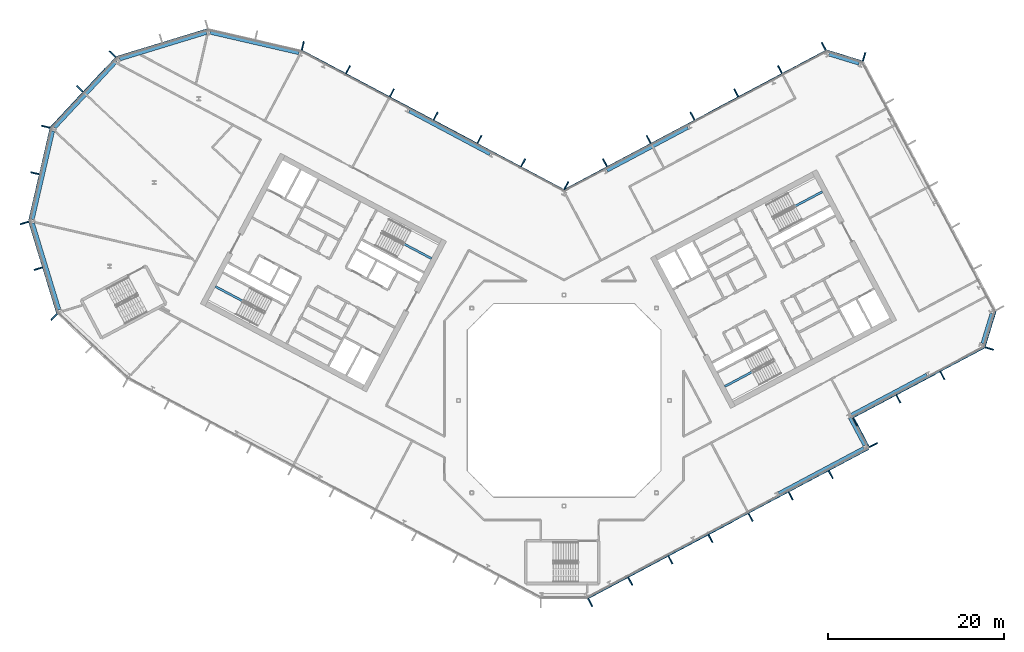
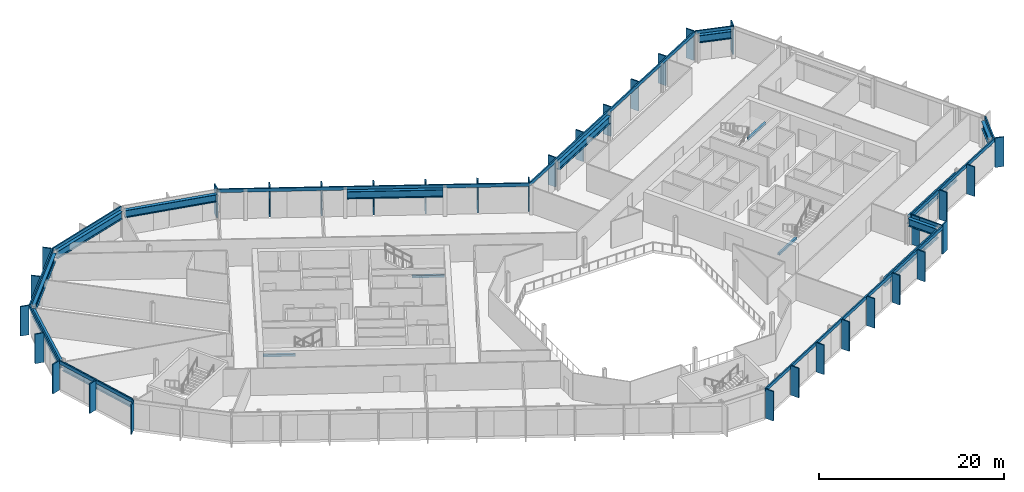
# One storey, part 9 of 26: 44 members, 16 beams, 13 elements without a shape of their own.
"""IFC4 building model written with IfcOpenShell, lengths in metres."""

from ifc_helpers import new_model, si_unit, direction, frame, origin, origin_2d, place, context, subcontext, project, spatial, rectangle, i_section, extrude, material, layer, layer_set, material_profile, profile_set, type_object, element, aggregate, save


model = new_model("IFC4")

# Units and contexts
model_context = context("Model", 3, precision=1e-05, world=origin(), true_north=direction((0.0, 1.0)))
body_context = subcontext(model_context, "Body", "Model", "MODEL_VIEW")
ifc_project = project(units=[si_unit("LENGTHUNIT", "METRE"), si_unit("AREAUNIT", "SQUARE_METRE"), si_unit("VOLUMEUNIT", "CUBIC_METRE"), si_unit("PLANEANGLEUNIT", "RADIAN"), si_unit("MASSUNIT", "GRAM", prefix="KILO")], contexts=[model_context])

# Site, building, storey
site_placement = place(None, origin())
site = spatial("IfcSite", under=ifc_project, at=site_placement, CompositionType="ELEMENT")
building_placement = place(site_placement, origin())
building = spatial("IfcBuilding", under=site, at=building_placement, Name="Cormorant Relay Tower", CompositionType="ELEMENT")
storey_placement = place(building_placement, frame((0.0, 0.0, 220.800048828125)))
storey = spatial("IfcBuildingStorey", under=building, at=storey_placement, Name="L48", CompositionType="ELEMENT", Elevation=220.800048828125)

# Curtain wall, members
ifc_material_1 = material(Name="Aluminium 6063-T6 anodised bronze", Category="aluminium")
ifc_layer = layer(ifc_material_1, 0.199951171875)
ifc_layer_set = layer_set([ifc_layer], Name="CW1 unitised bronze curtain wall with vertical fins")
curtain_wall_type = type_object("IfcCurtainWallType", Name="CW1 unitised bronze curtain wall with vertical fins", PredefinedType="NOTDEFINED", material=ifc_layer_set)
curtain_wall_1_placement = place(storey_placement, origin())
curtain_wall_1 = element("IfcCurtainWall", 1, at=curtain_wall_1_placement, inside=storey, type_object=curtain_wall_type, Name="CW1 curtain wall 2", PredefinedType="NOTDEFINED")
ifc_material_2 = material(Name="Aluminium 6063-T6 anodised bronze", Category="aluminium")
ifc_material_profile_1 = material_profile(ifc_material_2, rectangle(XDim=0.14990234375, YDim=1.0, at=origin_2d()), Name="AL 150x1000")
ifc_profile_set_1 = profile_set([ifc_material_profile_1], Name="Aluminium 6063-T6 anodised bronze")
member_type_1 = type_object("IfcMemberType", Name="CW1 bronze fin mullion 150 x 1000", PredefinedType="MULLION", material=ifc_profile_set_1)
member_1_placement = place(storey_placement, frame((2.9775390625, -22.99365234375, 0.0), z_axis=(0.0, 0.0, 1.0), x_axis=(0.882947592859, 0.469471562786, 0.0)))
member_1 = element("IfcMember", 2, at=member_1_placement, type_object=member_type_1, Name="CW1 fin 2.1", PredefinedType="MULLION", context=body_context, shape_type="SweptSolid", body=[
    extrude(rectangle(XDim=0.14990234375, YDim=1.0, at=origin_2d()), origin(), (0.0, 0.0, 1.0), 3.89990234375),
])
member_2_placement = place(storey_placement, frame((7.539306640625, -20.568115234375, 0.0), z_axis=(0.0, 0.0, 1.0), x_axis=(0.882947592859, 0.469471562786, 0.0)))
member_2 = element("IfcMember", 3, at=member_2_placement, type_object=member_type_1, Name="CW1 fin 2.2", PredefinedType="MULLION", context=body_context, shape_type="SweptSolid", body=[
    extrude(rectangle(XDim=0.14990234375, YDim=1.0, at=origin_2d()), origin(), (0.0, 0.0, 1.0), 3.89990234375),
])
member_3_placement = place(storey_placement, frame((12.10107421875, -18.142578125, 0.0), z_axis=(0.0, 0.0, 1.0), x_axis=(0.882947592859, 0.469471562786, 0.0)))
member_3 = element("IfcMember", 4, at=member_3_placement, type_object=member_type_1, Name="CW1 fin 2.3", PredefinedType="MULLION", context=body_context, shape_type="SweptSolid", body=[
    extrude(rectangle(XDim=0.14990234375, YDim=1.0, at=origin_2d()), origin(), (0.0, 0.0, 1.0), 3.89990234375),
])
member_4_placement = place(storey_placement, frame((16.662841796875, -15.717041015625, 0.0), z_axis=(0.0, 0.0, 1.0), x_axis=(0.882947592859, 0.469471562786, 0.0)))
member_4 = element("IfcMember", 5, at=member_4_placement, type_object=member_type_1, Name="CW1 fin 2.4", PredefinedType="MULLION", context=body_context, shape_type="SweptSolid", body=[
    extrude(rectangle(XDim=0.14990234375, YDim=1.0, at=origin_2d()), origin(), (0.0, 0.0, 1.0), 3.89990234375),
])
member_5_placement = place(storey_placement, frame((21.224609375, -13.29150390625, 0.0), z_axis=(0.0, 0.0, 1.0), x_axis=(0.882947592859, 0.469471562786, 0.0)))
member_5 = element("IfcMember", 6, at=member_5_placement, type_object=member_type_1, Name="CW1 fin 2.5", PredefinedType="MULLION", context=body_context, shape_type="SweptSolid", body=[
    extrude(rectangle(XDim=0.14990234375, YDim=1.0, at=origin_2d()), origin(), (0.0, 0.0, 1.0), 3.89990234375),
])
member_6_placement = place(storey_placement, frame((25.78662109375, -10.865966796875, 0.0), z_axis=(0.0, 0.0, 1.0), x_axis=(0.882947592859, 0.469471562786, 0.0)))
member_6 = element("IfcMember", 7, at=member_6_placement, type_object=member_type_1, Name="CW1 fin 2.6", PredefinedType="MULLION", context=body_context, shape_type="SweptSolid", body=[
    extrude(rectangle(XDim=0.14990234375, YDim=1.0, at=origin_2d()), origin(), (0.0, 0.0, 1.0), 3.89990234375),
])
member_7_placement = place(storey_placement, frame((30.348388671875, -8.440185546875, 0.0), z_axis=(0.0, 0.0, 1.0), x_axis=(0.882947592859, 0.469471562786, 0.0)))
member_7 = element("IfcMember", 8, at=member_7_placement, type_object=member_type_1, Name="CW1 fin 2.7", PredefinedType="MULLION", context=body_context, shape_type="SweptSolid", body=[
    extrude(rectangle(XDim=0.14990234375, YDim=1.0, at=origin_2d()), origin(), (0.0, 0.0, 1.0), 3.89990234375),
])

# Curtain wall, member
curtain_wall_2_placement = place(storey_placement, origin())
curtain_wall_2 = element("IfcCurtainWall", 9, at=curtain_wall_2_placement, inside=storey, type_object=curtain_wall_type, Name="CW1 curtain wall 3", PredefinedType="NOTDEFINED")
member_8_placement = place(storey_placement, frame((35.199462890625, -5.068115234375, 0.0), z_axis=(0.0, 0.0, 1.0), x_axis=(-0.469471562786, 0.882947592859, 0.0)))
member_8 = element("IfcMember", 10, at=member_8_placement, type_object=member_type_1, Name="CW1 fin 3.1", PredefinedType="MULLION", context=body_context, shape_type="SweptSolid", body=[
    extrude(rectangle(XDim=0.14990234375, YDim=1.0, at=origin_2d()), origin(), (0.0, 0.0, 1.0), 3.89990234375),
])

# Curtain wall, members
curtain_wall_3_placement = place(storey_placement, origin())
curtain_wall_3 = element("IfcCurtainWall", 11, at=curtain_wall_3_placement, inside=storey, type_object=curtain_wall_type, Name="CW1 curtain wall 4", PredefinedType="NOTDEFINED")
member_9_placement = place(storey_placement, frame((33.098388671875, -2.44775390625, 0.0), z_axis=(0.0, 0.0, 1.0), x_axis=(0.882947592859, 0.469471562786, 0.0)))
member_9 = element("IfcMember", 12, at=member_9_placement, type_object=member_type_1, Name="CW1 fin 4.1", PredefinedType="MULLION", context=body_context, shape_type="SweptSolid", body=[
    extrude(rectangle(XDim=0.14990234375, YDim=1.0, at=origin_2d()), origin(), (0.0, 0.0, 1.0), 3.89990234375),
])
member_10_placement = place(storey_placement, frame((38.035400390625, 0.177490234375, 0.0), z_axis=(0.0, 0.0, 1.0), x_axis=(0.882947592859, 0.469471562786, 0.0)))
member_10 = element("IfcMember", 13, at=member_10_placement, type_object=member_type_1, Name="CW1 fin 4.2", PredefinedType="MULLION", context=body_context, shape_type="SweptSolid", body=[
    extrude(rectangle(XDim=0.14990234375, YDim=1.0, at=origin_2d()), origin(), (0.0, 0.0, 1.0), 3.89990234375),
])
member_11_placement = place(storey_placement, frame((43.038818359375, 2.837646484375, 0.0), z_axis=(0.0, 0.0, 1.0), x_axis=(0.882947592859, 0.469471562786, 0.0)))
member_11 = element("IfcMember", 14, at=member_11_placement, type_object=member_type_1, Name="CW1 fin 4.3", PredefinedType="MULLION", context=body_context, shape_type="SweptSolid", body=[
    extrude(rectangle(XDim=0.14990234375, YDim=1.0, at=origin_2d()), origin(), (0.0, 0.0, 1.0), 3.89990234375),
])

# Curtain wall, member
curtain_wall_4_placement = place(storey_placement, origin())
curtain_wall_4 = element("IfcCurtainWall", 15, at=curtain_wall_4_placement, inside=storey, type_object=curtain_wall_type, Name="CW1 curtain wall 5", PredefinedType="NOTDEFINED")
member_12_placement = place(storey_placement, frame((48.383056640625, 5.91162109375, 0.0), z_axis=(0.0, 0.0, 1.0), x_axis=(0.292371704723, 0.956304755963, 0.0)))
member_12 = element("IfcMember", 16, at=member_12_placement, type_object=member_type_1, Name="CW1 fin 5.1", PredefinedType="MULLION", context=body_context, shape_type="SweptSolid", body=[
    extrude(rectangle(XDim=0.14990234375, YDim=1.0, at=origin_2d()), origin(), (0.0, 0.0, 1.0), 3.89990234375),
])

curtain_wall_5_placement = place(storey_placement, origin())
curtain_wall_5 = element("IfcCurtainWall", 17, at=curtain_wall_5_placement, inside=storey, type_object=curtain_wall_type, Name="CW1 curtain wall 7", PredefinedType="NOTDEFINED")
member_13_placement = place(storey_placement, frame((34.1357421875, 39.09716796875, 0.0), z_axis=(0.0, 0.0, 1.0), x_axis=(-0.956304755963, 0.292371704723, 0.0)))
member_13 = element("IfcMember", 18, at=member_13_placement, type_object=member_type_1, Name="CW1 fin 7.1", PredefinedType="MULLION", context=body_context, shape_type="SweptSolid", body=[
    extrude(rectangle(XDim=0.14990234375, YDim=1.0, at=origin_2d()), origin(), (0.0, 0.0, 1.0), 3.89990234375),
])

# Curtain wall, members
curtain_wall_6_placement = place(storey_placement, origin())
curtain_wall_6 = element("IfcCurtainWall", 19, at=curtain_wall_6_placement, inside=storey, type_object=curtain_wall_type, Name="CW1 curtain wall 8", PredefinedType="NOTDEFINED")
member_14_placement = place(storey_placement, frame((29.545166015625, 40.2861328125, 0.0), z_axis=(0.0, 0.0, 1.0), x_axis=(-0.882947592859, -0.469471562786, 0.0)))
member_14 = element("IfcMember", 20, at=member_14_placement, type_object=member_type_1, Name="CW1 fin 8.1", PredefinedType="MULLION", context=body_context, shape_type="SweptSolid", body=[
    extrude(rectangle(XDim=0.14990234375, YDim=1.0, at=origin_2d()), origin(), (0.0, 0.0, 1.0), 3.89990234375),
])
member_15_placement = place(storey_placement, frame((24.566162109375, 37.638916015625, 0.0), z_axis=(0.0, 0.0, 1.0), x_axis=(-0.882947592859, -0.469471562786, 0.0)))
member_15 = element("IfcMember", 21, at=member_15_placement, type_object=member_type_1, Name="CW1 fin 8.2", PredefinedType="MULLION", context=body_context, shape_type="SweptSolid", body=[
    extrude(rectangle(XDim=0.14990234375, YDim=1.0, at=origin_2d()), origin(), (0.0, 0.0, 1.0), 3.89990234375),
])
member_16_placement = place(storey_placement, frame((19.587158203125, 34.991455078125, 0.0), z_axis=(0.0, 0.0, 1.0), x_axis=(-0.882947592859, -0.469471562786, 0.0)))
member_16 = element("IfcMember", 22, at=member_16_placement, type_object=member_type_1, Name="CW1 fin 8.3", PredefinedType="MULLION", context=body_context, shape_type="SweptSolid", body=[
    extrude(rectangle(XDim=0.14990234375, YDim=1.0, at=origin_2d()), origin(), (0.0, 0.0, 1.0), 3.89990234375),
])
member_17_placement = place(storey_placement, frame((14.608154296875, 32.343994140625, 0.0), z_axis=(0.0, 0.0, 1.0), x_axis=(-0.882947592859, -0.469471562786, 0.0)))
member_17 = element("IfcMember", 23, at=member_17_placement, type_object=member_type_1, Name="CW1 fin 8.4", PredefinedType="MULLION", context=body_context, shape_type="SweptSolid", body=[
    extrude(rectangle(XDim=0.14990234375, YDim=1.0, at=origin_2d()), origin(), (0.0, 0.0, 1.0), 3.89990234375),
])
member_18_placement = place(storey_placement, frame((9.62939453125, 29.69677734375, 0.0), z_axis=(0.0, 0.0, 1.0), x_axis=(-0.882947592859, -0.469471562786, 0.0)))
member_18 = element("IfcMember", 24, at=member_18_placement, type_object=member_type_1, Name="CW1 fin 8.5", PredefinedType="MULLION", context=body_context, shape_type="SweptSolid", body=[
    extrude(rectangle(XDim=0.14990234375, YDim=1.0, at=origin_2d()), origin(), (0.0, 0.0, 1.0), 3.89990234375),
])
member_19_placement = place(storey_placement, frame((4.650390625, 27.04931640625, 0.0), z_axis=(0.0, 0.0, 1.0), x_axis=(-0.882947592859, -0.469471562786, 0.0)))
member_19 = element("IfcMember", 25, at=member_19_placement, type_object=member_type_1, Name="CW1 fin 8.6", PredefinedType="MULLION", context=body_context, shape_type="SweptSolid", body=[
    extrude(rectangle(XDim=0.14990234375, YDim=1.0, at=origin_2d()), origin(), (0.0, 0.0, 1.0), 3.89990234375),
])

curtain_wall_7_placement = place(storey_placement, origin())
curtain_wall_7 = element("IfcCurtainWall", 26, at=curtain_wall_7_placement, inside=storey, type_object=curtain_wall_type, Name="CW1 curtain wall 9", PredefinedType="NOTDEFINED")
member_20_placement = place(storey_placement, frame((0.262451171875, 24.437255859375, 0.0), z_axis=(0.0, 0.0, 1.0), x_axis=(-0.882947592859, 0.469471562786, 0.0)))
member_20 = element("IfcMember", 27, at=member_20_placement, type_object=member_type_1, Name="CW1 fin 9.1", PredefinedType="MULLION", context=body_context, shape_type="SweptSolid", body=[
    extrude(rectangle(XDim=0.14990234375, YDim=1.0, at=origin_2d()), origin(), (0.0, 0.0, 1.0), 3.89990234375),
])
member_21_placement = place(storey_placement, frame((-4.650390625, 27.04931640625, 0.0), z_axis=(0.0, 0.0, 1.0), x_axis=(-0.882947592859, 0.469471562786, 0.0)))
member_21 = element("IfcMember", 28, at=member_21_placement, type_object=member_type_1, Name="CW1 fin 9.2", PredefinedType="MULLION", context=body_context, shape_type="SweptSolid", body=[
    extrude(rectangle(XDim=0.14990234375, YDim=1.0, at=origin_2d()), origin(), (0.0, 0.0, 1.0), 3.89990234375),
])
member_22_placement = place(storey_placement, frame((-9.62939453125, 29.69677734375, 0.0), z_axis=(0.0, 0.0, 1.0), x_axis=(-0.882947592859, 0.469471562786, 0.0)))
member_22 = element("IfcMember", 29, at=member_22_placement, type_object=member_type_1, Name="CW1 fin 9.3", PredefinedType="MULLION", context=body_context, shape_type="SweptSolid", body=[
    extrude(rectangle(XDim=0.14990234375, YDim=1.0, at=origin_2d()), origin(), (0.0, 0.0, 1.0), 3.89990234375),
])
member_23_placement = place(storey_placement, frame((-14.608154296875, 32.343994140625, 0.0), z_axis=(0.0, 0.0, 1.0), x_axis=(-0.882947592859, 0.469471562786, 0.0)))
member_23 = element("IfcMember", 30, at=member_23_placement, type_object=member_type_1, Name="CW1 fin 9.4", PredefinedType="MULLION", context=body_context, shape_type="SweptSolid", body=[
    extrude(rectangle(XDim=0.14990234375, YDim=1.0, at=origin_2d()), origin(), (0.0, 0.0, 1.0), 3.89990234375),
])
member_24_placement = place(storey_placement, frame((-19.587158203125, 34.991455078125, 0.0), z_axis=(0.0, 0.0, 1.0), x_axis=(-0.882947592859, 0.469471562786, 0.0)))
member_24 = element("IfcMember", 31, at=member_24_placement, type_object=member_type_1, Name="CW1 fin 9.5", PredefinedType="MULLION", context=body_context, shape_type="SweptSolid", body=[
    extrude(rectangle(XDim=0.14990234375, YDim=1.0, at=origin_2d()), origin(), (0.0, 0.0, 1.0), 3.89990234375),
])
member_25_placement = place(storey_placement, frame((-24.566162109375, 37.638916015625, 0.0), z_axis=(0.0, 0.0, 1.0), x_axis=(-0.882947592859, 0.469471562786, 0.0)))
member_25 = element("IfcMember", 32, at=member_25_placement, type_object=member_type_1, Name="CW1 fin 9.6", PredefinedType="MULLION", context=body_context, shape_type="SweptSolid", body=[
    extrude(rectangle(XDim=0.14990234375, YDim=1.0, at=origin_2d()), origin(), (0.0, 0.0, 1.0), 3.89990234375),
])

# Curtain wall, member
curtain_wall_8_placement = place(storey_placement, origin())
curtain_wall_8 = element("IfcCurtainWall", 33, at=curtain_wall_8_placement, inside=storey, type_object=curtain_wall_type, Name="CW1 curtain wall 10", PredefinedType="NOTDEFINED")
member_26_placement = place(storey_placement, frame((-29.71630859375, 40.35009765625, 0.0), z_axis=(0.0, 0.0, 1.0), x_axis=(-0.974370064785, 0.224951054344, 0.0)))
member_26 = element("IfcMember", 34, at=member_26_placement, type_object=member_type_1, Name="CW1 fin 10.1", PredefinedType="MULLION", context=body_context, shape_type="SweptSolid", body=[
    extrude(rectangle(XDim=0.14990234375, YDim=1.0, at=origin_2d()), origin(), (0.0, 0.0, 1.0), 3.89990234375),
])
aggregate(curtain_wall_8, [member_26])

# Curtain wall, members
curtain_wall_9_placement = place(storey_placement, origin())
curtain_wall_9 = element("IfcCurtainWall", 35, at=curtain_wall_9_placement, inside=storey, type_object=curtain_wall_type, Name="CW1 curtain wall 12", PredefinedType="NOTDEFINED")
member_27_placement = place(storey_placement, frame((-51.372802734375, 39.41259765625, 0.0), z_axis=(0.0, 0.0, 1.0), x_axis=(-0.681998360062, -0.731353701619, 0.0)))
member_27 = element("IfcMember", 36, at=member_27_placement, type_object=member_type_1, Name="CW1 fin 12.1", PredefinedType="MULLION", context=body_context, shape_type="SweptSolid", body=[
    extrude(rectangle(XDim=0.14990234375, YDim=1.0, at=origin_2d()), origin(), (0.0, 0.0, 1.0), 3.89990234375),
])
member_28_placement = place(storey_placement, frame((-55.07958984375, 35.4375, 0.0), z_axis=(0.0, 0.0, 1.0), x_axis=(-0.681998360062, -0.731353701619, 0.0)))
member_28 = element("IfcMember", 37, at=member_28_placement, type_object=member_type_1, Name="CW1 fin 12.2", PredefinedType="MULLION", context=body_context, shape_type="SweptSolid", body=[
    extrude(rectangle(XDim=0.14990234375, YDim=1.0, at=origin_2d()), origin(), (0.0, 0.0, 1.0), 3.89990234375),
])

curtain_wall_10_placement = place(storey_placement, origin())
curtain_wall_10 = element("IfcCurtainWall", 38, at=curtain_wall_10_placement, inside=storey, type_object=curtain_wall_type, Name="CW1 curtain wall 13", PredefinedType="NOTDEFINED")
member_29_placement = place(storey_placement, frame((-58.95654296875, 31.142578125, 0.0), z_axis=(0.0, 0.0, 1.0), x_axis=(-0.224951054344, -0.974370064785, 0.0)))
member_29 = element("IfcMember", 39, at=member_29_placement, type_object=member_type_1, Name="CW1 fin 13.1", PredefinedType="MULLION", context=body_context, shape_type="SweptSolid", body=[
    extrude(rectangle(XDim=0.14990234375, YDim=1.0, at=origin_2d()), origin(), (0.0, 0.0, 1.0), 3.89990234375),
])
member_30_placement = place(storey_placement, frame((-60.17919921875, 25.8466796875, 0.0), z_axis=(0.0, 0.0, 1.0), x_axis=(-0.224951054344, -0.974370064785, 0.0)))
member_30 = element("IfcMember", 40, at=member_30_placement, type_object=member_type_1, Name="CW1 fin 13.2", PredefinedType="MULLION", context=body_context, shape_type="SweptSolid", body=[
    extrude(rectangle(XDim=0.14990234375, YDim=1.0, at=origin_2d()), origin(), (0.0, 0.0, 1.0), 3.89990234375),
])

curtain_wall_11_placement = place(storey_placement, origin())
curtain_wall_11 = element("IfcCurtainWall", 41, at=curtain_wall_11_placement, inside=storey, type_object=curtain_wall_type, Name="CW1 curtain wall 14", PredefinedType="NOTDEFINED")
member_31_placement = place(storey_placement, frame((-61.389404296875, 20.188720703125, 0.0), z_axis=(0.0, 0.0, 1.0), x_axis=(0.292371704723, -0.956304755963, 0.0)))
member_31 = element("IfcMember", 42, at=member_31_placement, type_object=member_type_1, Name="CW1 fin 14.1", PredefinedType="MULLION", context=body_context, shape_type="SweptSolid", body=[
    extrude(rectangle(XDim=0.14990234375, YDim=1.0, at=origin_2d()), origin(), (0.0, 0.0, 1.0), 3.89990234375),
])
member_32_placement = place(storey_placement, frame((-59.80029296875, 14.990966796875, 0.0), z_axis=(0.0, 0.0, 1.0), x_axis=(0.292371704723, -0.956304755963, 0.0)))
member_32 = element("IfcMember", 43, at=member_32_placement, type_object=member_type_1, Name="CW1 fin 14.2", PredefinedType="MULLION", context=body_context, shape_type="SweptSolid", body=[
    extrude(rectangle(XDim=0.14990234375, YDim=1.0, at=origin_2d()), origin(), (0.0, 0.0, 1.0), 3.89990234375),
])

# Curtain wall, member
curtain_wall_12_placement = place(storey_placement, origin())
curtain_wall_12 = element("IfcCurtainWall", 44, at=curtain_wall_12_placement, inside=storey, type_object=curtain_wall_type, Name="CW1 curtain wall 15", PredefinedType="NOTDEFINED")
member_33_placement = place(storey_placement, frame((-58.01904296875, 9.486083984375, 0.0), z_axis=(0.0, 0.0, 1.0), x_axis=(0.731353701619, -0.681998360062, 0.0)))
member_33 = element("IfcMember", 45, at=member_33_placement, type_object=member_type_1, Name="CW1 fin 15.1", PredefinedType="MULLION", context=body_context, shape_type="SweptSolid", body=[
    extrude(rectangle(XDim=0.14990234375, YDim=1.0, at=origin_2d()), origin(), (0.0, 0.0, 1.0), 3.89990234375),
])
aggregate(curtain_wall_12, [member_33])

# Member
ifc_material_3 = material(Name="Aluminium 6063-T6 anodised bronze", Category="aluminium")
ifc_material_profile_2 = material_profile(ifc_material_3, rectangle(XDim=0.159912109375, YDim=0.449951171875, at=origin_2d()), Name="AL 160x450")
ifc_profile_set_2 = profile_set([ifc_material_profile_2], Name="Aluminium 6063-T6 anodised bronze")
member_type_2 = type_object("IfcMemberType", Name="CW1 bronze transom 160 x 450", PredefinedType="USERDEFINED", material=ifc_profile_set_2)
member_34_placement = place(storey_placement, frame((2.705078125, -22.4814453125, 3.675048828125), z_axis=(0.882948899141, 0.469469106018, 0.0), x_axis=(-0.469469106018, 0.882948899141, 0.0)))
member_34 = element("IfcMember", 46, at=member_34_placement, type_object=member_type_2, Name="CW1 transom 2", ObjectType="TRANSOM", PredefinedType="USERDEFINED", context=body_context, shape_type="SweptSolid", body=[
    extrude(rectangle(XDim=0.159912109375, YDim=0.449951171875, at=origin_2d()), origin(), (0.0, 0.0, 1.0), 36.165771484375),
])

aggregate(curtain_wall_1, [member_1, member_2, member_3, member_4, member_5, member_6, member_7, member_34])

member_35_placement = place(storey_placement, frame((34.6875, -5.34033203125, 3.675048828125), z_axis=(-0.469485426614, 0.882940221191, 0.0), x_axis=(-0.882940221191, -0.469485426614, 0.0)))
member_35 = element("IfcMember", 47, at=member_35_placement, type_object=member_type_2, Name="CW1 transom 3", ObjectType="TRANSOM", PredefinedType="USERDEFINED", context=body_context, shape_type="SweptSolid", body=[
    extrude(rectangle(XDim=0.159912109375, YDim=0.449951171875, at=origin_2d()), origin(), (0.0, 0.0, 1.0), 4.0),
])

aggregate(curtain_wall_2, [member_8, member_35])

member_36_placement = place(storey_placement, frame((32.760009765625, -1.970947265625, 3.675048828125), z_axis=(0.882941803911, 0.469482450052, 0.0), x_axis=(-0.469482450052, 0.882941803911, 0.0)))
member_36 = element("IfcMember", 48, at=member_36_placement, type_object=member_type_2, Name="CW1 transom 4", ObjectType="TRANSOM", PredefinedType="USERDEFINED", context=body_context, shape_type="SweptSolid", body=[
    extrude(rectangle(XDim=0.159912109375, YDim=0.449951171875, at=origin_2d()), origin(), (0.0, 0.0, 1.0), 17.0),
])

aggregate(curtain_wall_3, [member_9, member_10, member_11, member_36])

member_37_placement = place(storey_placement, frame((47.828369140625, 6.0810546875, 3.675048828125), z_axis=(0.292391046905, 0.95629884225, 0.0), x_axis=(-0.95629884225, 0.292391046905, 0.0)))
member_37 = element("IfcMember", 49, at=member_37_placement, type_object=member_type_2, Name="CW1 transom 5", ObjectType="TRANSOM", PredefinedType="USERDEFINED", context=body_context, shape_type="SweptSolid", body=[
    extrude(rectangle(XDim=0.159912109375, YDim=0.449951171875, at=origin_2d()), origin(), (0.0, 0.0, 1.0), 4.242431640625),
])

aggregate(curtain_wall_4, [member_12, member_37])

member_38_placement = place(storey_placement, frame((33.966064453125, 38.54248046875, 3.675048828125), z_axis=(-0.956303761594, 0.292374957137, 0.0), x_axis=(-0.292374957137, -0.956303761594, 0.0)))
member_38 = element("IfcMember", 50, at=member_38_placement, type_object=member_type_2, Name="CW1 transom 7", ObjectType="TRANSOM", PredefinedType="USERDEFINED", context=body_context, shape_type="SweptSolid", body=[
    extrude(rectangle(XDim=0.159912109375, YDim=0.449951171875, at=origin_2d()), origin(), (0.0, 0.0, 1.0), 4.24267578125),
])

aggregate(curtain_wall_5, [member_13, member_38])

member_39_placement = place(storey_placement, frame((29.8173828125, 39.774169921875, 3.675048828125), z_axis=(-0.882946280328, -0.46947403129, 0.0), x_axis=(0.46947403129, -0.882946280328, 0.0)))
member_39 = element("IfcMember", 51, at=member_39_placement, type_object=member_type_2, Name="CW1 transom 8", ObjectType="TRANSOM", PredefinedType="USERDEFINED", context=body_context, shape_type="SweptSolid", body=[
    extrude(rectangle(XDim=0.159912109375, YDim=0.449951171875, at=origin_2d()), origin(), (0.0, 0.0, 1.0), 33.834228515625),
])

aggregate(curtain_wall_6, [member_14, member_15, member_16, member_17, member_18, member_19, member_39])

member_40_placement = place(storey_placement, frame((0.056396484375, 23.889892578125, 3.675048828125), z_axis=(-0.882946280328, 0.46947403129, 0.0), x_axis=(-0.46947403129, -0.882946280328, 0.0)))
member_40 = element("IfcMember", 52, at=member_40_placement, type_object=member_type_2, Name="CW1 transom 9", ObjectType="TRANSOM", PredefinedType="USERDEFINED", context=body_context, shape_type="SweptSolid", body=[
    extrude(rectangle(XDim=0.159912109375, YDim=0.449951171875, at=origin_2d()), origin(), (0.0, 0.0, 1.0), 33.834228515625),
])

aggregate(curtain_wall_7, [member_20, member_21, member_22, member_23, member_24, member_25, member_40])

# Curtain wall, member
curtain_wall_13_placement = place(storey_placement, origin())
curtain_wall_13 = element("IfcCurtainWall", 53, at=curtain_wall_13_placement, inside=storey, type_object=curtain_wall_type, Name="CW1 curtain wall 11", PredefinedType="NOTDEFINED")
member_41_placement = place(storey_placement, frame((-40.50048828125, 42.228271484375, 3.675048828125), z_axis=(-0.956304833932, -0.292371449698, 0.0), x_axis=(0.292371449698, -0.956304833932, 0.0)))
member_41 = element("IfcMember", 54, at=member_41_placement, type_object=member_type_2, Name="CW1 transom 11", ObjectType="TRANSOM", PredefinedType="USERDEFINED", context=body_context, shape_type="SweptSolid", body=[
    extrude(rectangle(XDim=0.159912109375, YDim=0.449951171875, at=origin_2d()), origin(), (0.0, 0.0, 1.0), 10.87060546875),
])
aggregate(curtain_wall_13, [member_41])

# Member
member_42_placement = place(storey_placement, frame((-50.94873046875, 39.01708984375, 3.675048828125), z_axis=(-0.681993299437, -0.731358420696, 0.0), x_axis=(0.731358420696, -0.681993299437, 0.0)))
member_42 = element("IfcMember", 55, at=member_42_placement, type_object=member_type_2, Name="CW1 transom 12", ObjectType="TRANSOM", PredefinedType="USERDEFINED", context=body_context, shape_type="SweptSolid", body=[
    extrude(rectangle(XDim=0.159912109375, YDim=0.449951171875, at=origin_2d()), origin(), (0.0, 0.0, 1.0), 10.870361328125),
])

aggregate(curtain_wall_9, [member_27, member_28, member_42])

member_43_placement = place(storey_placement, frame((-58.3916015625, 31.01220703125, 3.675048828125), z_axis=(-0.22495136131, -0.974369993916, 0.0), x_axis=(0.974369993916, -0.22495136131, 0.0)))
member_43 = element("IfcMember", 56, at=member_43_placement, type_object=member_type_2, Name="CW1 transom 13", ObjectType="TRANSOM", PredefinedType="USERDEFINED", context=body_context, shape_type="SweptSolid", body=[
    extrude(rectangle(XDim=0.159912109375, YDim=0.449951171875, at=origin_2d()), origin(), (0.0, 0.0, 1.0), 10.870361328125),
])

aggregate(curtain_wall_10, [member_29, member_30, member_43])

member_44_placement = place(storey_placement, frame((-60.834716796875, 20.358154296875, 3.675048828125), z_axis=(0.292377729282, -0.95630291405, 0.0), x_axis=(0.95630291405, 0.292377729282, 0.0)))
member_44 = element("IfcMember", 57, at=member_44_placement, type_object=member_type_2, Name="CW1 transom 14", ObjectType="TRANSOM", PredefinedType="USERDEFINED", context=body_context, shape_type="SweptSolid", body=[
    extrude(rectangle(XDim=0.159912109375, YDim=0.449951171875, at=origin_2d()), origin(), (0.0, 0.0, 1.0), 10.870361328125),
])

aggregate(curtain_wall_11, [member_31, member_32, member_44])

# Beams
ifc_material_4 = material(Name="Steel ASTM A992 (Fy 345 MPa)", Category="steel")
ifc_material_profile_3 = material_profile(ifc_material_4, i_section(OverallWidth=0.4013671875, OverallDepth=0.990478515625, WebThickness=0.0166015625, FlangeThickness=0.031005859375, FilletRadius=0.030029296875, at=origin_2d()), Name="W1000x320")
ifc_profile_set_3 = profile_set([ifc_material_profile_3], Name="Steel ASTM A992 (Fy 345 MPa)")
beam_type_1 = type_object("IfcBeamType", Name="Spandrel W1000x320", PredefinedType="SPANDREL", material=ifc_profile_set_3)
beam_1_placement = place(storey_placement, frame((24.423583984375, -10.5703125, 3.044677734375), z_axis=(0.882952735253, 0.469461891221, 0.0), x_axis=(-0.469461891221, 0.882952735253, 0.0)))
element("IfcBeam", 58, at=beam_1_placement, inside=storey, type_object=beam_type_1, Name="Spandrel beam L48-002", PredefinedType="SPANDREL", context=body_context, shape_type="SweptSolid", body=[
    extrude(i_section(OverallWidth=0.4013671875, OverallDepth=0.990478515625, WebThickness=0.0166015625, FlangeThickness=0.031005859375, FilletRadius=0.030029296875, at=origin_2d()), origin(), (0.0, 0.0, 1.0), 10.96142578125),
])
beam_2_placement = place(storey_placement, frame((34.20458984375, -5.115478515625, 3.044677734375), z_axis=(-0.469423552529, 0.882973118691, 0.0), x_axis=(-0.882973118691, -0.469423552529, 0.0)))
element("IfcBeam", 59, at=beam_2_placement, inside=storey, type_object=beam_type_1, Name="Spandrel beam L48-003", PredefinedType="SPANDREL", context=body_context, shape_type="SweptSolid", body=[
    extrude(i_section(OverallWidth=0.4013671875, OverallDepth=0.990478515625, WebThickness=0.0166015625, FlangeThickness=0.031005859375, FilletRadius=0.030029296875, at=origin_2d()), origin(), (0.0, 0.0, 1.0), 3.56982421875),
])
beam_3_placement = place(storey_placement, frame((32.609375, -1.687744140625, 3.044677734375), z_axis=(0.882948215634, 0.469470391515, 0.0), x_axis=(-0.469470391515, 0.882948215634, 0.0)))
element("IfcBeam", 60, at=beam_3_placement, inside=storey, type_object=beam_type_1, Name="Spandrel beam L48-004", PredefinedType="SPANDREL", context=body_context, shape_type="SweptSolid", body=[
    extrude(i_section(OverallWidth=0.4013671875, OverallDepth=0.990478515625, WebThickness=0.0166015625, FlangeThickness=0.031005859375, FilletRadius=0.030029296875, at=origin_2d()), origin(), (0.0, 0.0, 1.0), 9.79736328125),
])
for number, where, z_axis, x_axis, name in (
    (61, (47.618896484375, 6.4921875, 3.044677734375), (0.292349563537, 0.956311524923, 0.0), (-0.956311524923, 0.292349563537, 0.0), "Spandrel beam L48-005"),
    (62, (33.5546875, 38.3330078125, 3.044677734375), (-0.956311524923, 0.292349563537, 0.0), (-0.292349563537, -0.956311524923, 0.0), "Spandrel beam L48-007"),
):
    element("IfcBeam", number, at=place(storey_placement, frame(where, z_axis=z_axis, x_axis=x_axis)), inside=storey, type_object=beam_type_1, Name=name, PredefinedType="SPANDREL", context=body_context, shape_type="SweptSolid", body=[
        extrude(i_section(OverallWidth=0.4013671875, OverallDepth=0.990478515625, WebThickness=0.0166015625, FlangeThickness=0.031005859375, FilletRadius=0.030029296875, at=origin_2d()), origin(), (0.0, 0.0, 1.0), 3.59765625),
    ])
for number, where, z_axis, x_axis, name in (
    (63, (14.0732421875, 31.03955078125, 3.044677734375), (-0.882949648898, -0.469467695918, 0.0), (0.469467695918, -0.882949648898, 0.0), "Spandrel beam L48-008"),
    (64, (-8.426025390625, 28.036865234375, 3.044677734375), (-0.882949648898, 0.469467695918, 0.0), (-0.469467695918, -0.882949648898, 0.0), "Spandrel beam L48-009"),
):
    element("IfcBeam", number, at=place(storey_placement, frame(where, z_axis=z_axis, x_axis=x_axis)), inside=storey, type_object=beam_type_1, Name=name, PredefinedType="SPANDREL", context=body_context, shape_type="SweptSolid", body=[
        extrude(i_section(OverallWidth=0.4013671875, OverallDepth=0.990478515625, WebThickness=0.0166015625, FlangeThickness=0.031005859375, FilletRadius=0.030029296875, at=origin_2d()), origin(), (0.0, 0.0, 1.0), 10.39599609375),
    ])
beam_4_placement = place(storey_placement, frame((-30.1533203125, 39.526611328125, 3.044677734375), z_axis=(-0.97436619016, 0.22496783653, 0.0), x_axis=(-0.22496783653, -0.97436619016, 0.0)))
element("IfcBeam", 65, at=beam_4_placement, inside=storey, type_object=beam_type_1, Name="Spandrel beam L48-010", PredefinedType="SPANDREL", context=body_context, shape_type="SweptSolid", body=[
    extrude(i_section(OverallWidth=0.4013671875, OverallDepth=0.990478515625, WebThickness=0.0166015625, FlangeThickness=0.031005859375, FilletRadius=0.030029296875, at=origin_2d()), origin(), (0.0, 0.0, 1.0), 10.369384765625),
])
beam_5_placement = place(storey_placement, frame((-40.680419921875, 41.837890625, 3.044677734375), z_axis=(-0.956303094801, -0.292377138084, 0.0), x_axis=(0.292377138084, -0.956303094801, 0.0)))
element("IfcBeam", 66, at=beam_5_placement, inside=storey, type_object=beam_type_1, Name="Spandrel beam L48-011", PredefinedType="SPANDREL", context=body_context, shape_type="SweptSolid", body=[
    extrude(i_section(OverallWidth=0.4013671875, OverallDepth=0.990478515625, WebThickness=0.0166015625, FlangeThickness=0.031005859375, FilletRadius=0.030029296875, at=origin_2d()), origin(), (0.0, 0.0, 1.0), 10.32421875),
])
beam_6_placement = place(storey_placement, frame((-50.90966796875, 38.5888671875, 3.044677734375), z_axis=(-0.681996285296, -0.731355636365, 0.0), x_axis=(0.731355636365, -0.681996285296, 0.0)))
element("IfcBeam", 67, at=beam_6_placement, inside=storey, type_object=beam_type_1, Name="Spandrel beam L48-012", PredefinedType="SPANDREL", context=body_context, shape_type="SweptSolid", body=[
    extrude(i_section(OverallWidth=0.4013671875, OverallDepth=0.990478515625, WebThickness=0.0166015625, FlangeThickness=0.031005859375, FilletRadius=0.030029296875, at=origin_2d()), origin(), (0.0, 0.0, 1.0), 10.32275390625),
])
beam_7_placement = place(storey_placement, frame((-58.143310546875, 30.66162109375, 3.044677734375), z_axis=(-0.224957947919, -0.974368473252, 0.0), x_axis=(0.974368473252, -0.224957947919, 0.0)))
element("IfcBeam", 68, at=beam_7_placement, inside=storey, type_object=beam_type_1, Name="Spandrel beam L48-013", PredefinedType="SPANDREL", context=body_context, shape_type="SweptSolid", body=[
    extrude(i_section(OverallWidth=0.4013671875, OverallDepth=0.990478515625, WebThickness=0.0166015625, FlangeThickness=0.031005859375, FilletRadius=0.030029296875, at=origin_2d()), origin(), (0.0, 0.0, 1.0), 10.32421875),
])
beam_8_placement = place(storey_placement, frame((-60.4443359375, 20.178466796875, 3.044677734375), z_axis=(0.29236873538, -0.956305663777, 0.0), x_axis=(0.956305663777, 0.29236873538, 0.0)))
element("IfcBeam", 69, at=beam_8_placement, inside=storey, type_object=beam_type_1, Name="Spandrel beam L48-014", PredefinedType="SPANDREL", context=body_context, shape_type="SweptSolid", body=[
    extrude(i_section(OverallWidth=0.4013671875, OverallDepth=0.990478515625, WebThickness=0.0166015625, FlangeThickness=0.031005859375, FilletRadius=0.030029296875, at=origin_2d()), origin(), (0.0, 0.0, 1.0), 10.32373046875),
])
ifc_material_5 = material(Name="Concrete 50 MPa", Category="concrete")
ifc_material_profile_4 = material_profile(ifc_material_5, rectangle(XDim=0.25, YDim=0.300048828125, at=origin_2d()), Name="RC 250x300")
ifc_profile_set_4 = profile_set([ifc_material_profile_4], Name="Concrete 50 MPa")
beam_type_2 = type_object("IfcBeamType", Name="Stair landing ledge beam 250x300", PredefinedType="BEAM", material=ifc_profile_set_4)
beam_9_placement = place(storey_placement, frame((-18.219482421875, 17.813720703125, 1.599853515625), z_axis=(0.882950035608, -0.469466968614, 0.0), x_axis=(0.469466968614, 0.882950035608, 0.0)))
element("IfcBeam", 70, at=beam_9_placement, inside=storey, type_object=beam_type_2, Name="A1 landing ledge beam", PredefinedType="BEAM", context=body_context, shape_type="SweptSolid", body=[
    extrude(rectangle(XDim=0.25, YDim=0.300048828125, at=origin_2d()), origin(), (0.0, 0.0, 1.0), 3.5498046875),
])
for number, where, z_axis, x_axis, name in (
    (71, (-36.523193359375, 11.29345703125, 1.599853515625), (-0.88293668587, 0.469492075273, 0.0), (-0.469492075273, -0.88293668587, 0.0), "A2 landing ledge beam"),
    (72, (21.4248046875, 3.265380859375, 1.599853515625), (-0.88296519247, -0.469438461235, 0.0), (0.469438461235, -0.88296519247, 0.0), "B1 landing ledge beam"),
    (73, (26.25439453125, 22.0859375, 1.599853515625), (0.88296519247, 0.469438461235, 0.0), (-0.469438461235, 0.88296519247, 0.0), "B2 landing ledge beam"),
):
    element("IfcBeam", number, at=place(storey_placement, frame(where, z_axis=z_axis, x_axis=x_axis)), inside=storey, type_object=beam_type_2, Name=name, PredefinedType="BEAM", context=body_context, shape_type="SweptSolid", body=[
        extrude(rectangle(XDim=0.25, YDim=0.300048828125, at=origin_2d()), origin(), (0.0, 0.0, 1.0), 3.550048828125),
    ])

save(model, "model.ifc")
